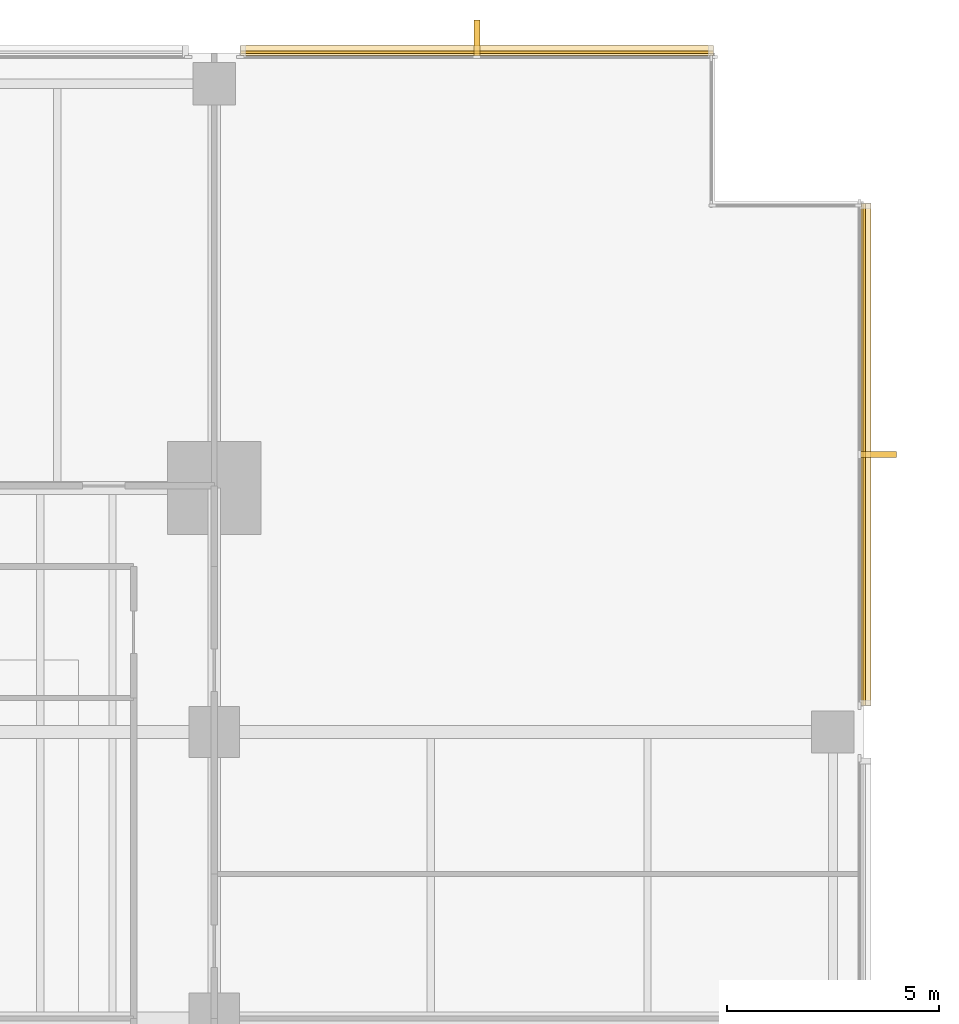
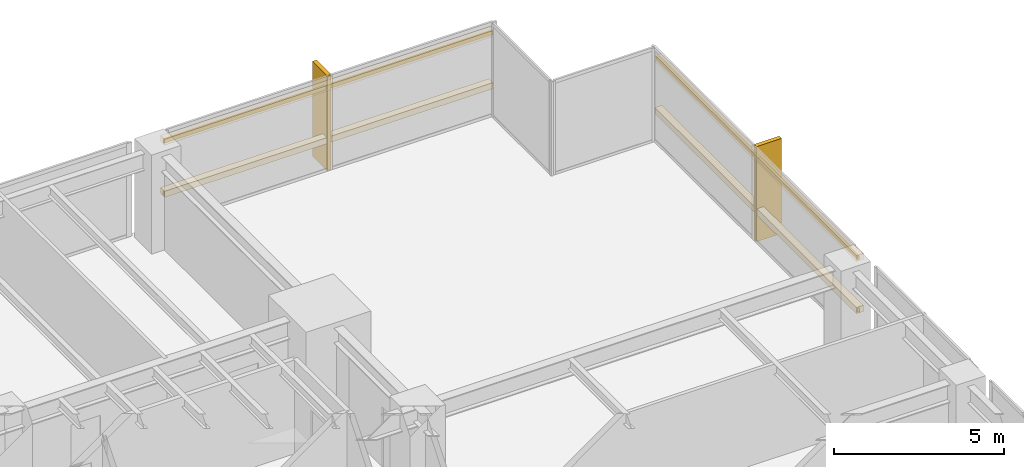
# One storey, part 15 of 15: 6 coverings, 4 shading devices.
"""IFC4 building model written with IfcOpenShell, lengths in metres."""

from ifc_helpers import new_model, si_unit, direction, frame, origin, origin_2d, place, context, subcontext, project, spatial, polyline, rectangle, outline, extrude, material, layer, layer_set, material_profile, profile_set, type_object, element, save


model = new_model("IFC4")

# Units and contexts
model_context = context("Model", 3, precision=1e-05, world=origin(), true_north=direction((0.0, 1.0)))
body_context = subcontext(model_context, "Body", "Model", "MODEL_VIEW")
ifc_project = project(units=[si_unit("LENGTHUNIT", "METRE"), si_unit("AREAUNIT", "SQUARE_METRE"), si_unit("VOLUMEUNIT", "CUBIC_METRE"), si_unit("PLANEANGLEUNIT", "RADIAN"), si_unit("MASSUNIT", "GRAM", prefix="KILO")], contexts=[model_context])

# Site, building, storey
site_placement = place(None, origin())
site = spatial("IfcSite", under=ifc_project, at=site_placement, CompositionType="ELEMENT")
building_placement = place(site_placement, origin())
building = spatial("IfcBuilding", under=site, at=building_placement, Name="Kinhvarn Gate Tower", CompositionType="ELEMENT")
storey_placement = place(building_placement, frame((0.0, 0.0, 61.10009765625)))
storey = spatial("IfcBuildingStorey", under=building, at=storey_placement, Name="L15", CompositionType="ELEMENT", Elevation=61.10009765625)

# Coverings
ifc_material = material(Name="Fired architectural terracotta", Category="masonry")
ifc_layer_1 = layer(ifc_material, 0.239990234375)
ifc_layer_set_1 = layer_set([ifc_layer_1], Name="Fired architectural terracotta")
covering_type_1 = type_object("IfcCoveringType", Name="COV-BAG-220", PredefinedType="CLADDING", material=ifc_layer_set_1)
for number, where, name in (
    (1, (0.0, 0.0, 0.93994140625), "Terracotta Horizontal Sunscreen Band TBG-220 (L15)"),
    (2, (0.0, 0.0, 2.809814453125), "Terracotta Horizontal Sunscreen Band TBG-220 (L15)"),
):
    element("IfcCovering", number, at=place(storey_placement, frame(where)), inside=storey, type_object=covering_type_1, Name=name, PredefinedType="CLADDING", context=body_context, shape_type="SweptSolid", body=[
        extrude(outline(polyline([(49.9599609375, 47.93994140625), (38.820068359375, 47.93994140625), (38.820068359375, 48.179931640625), (49.9599609375, 48.179931640625), (49.9599609375, 47.93994140625)])), origin(), (0.0, 0.0, 1.0), 0.219970703125),
    ])
for number, where, name in (
    (3, (0.0, 0.0, 0.93994140625), "Terracotta Horizontal Sunscreen Band TBG-220 (L15)"),
    (4, (0.0, 0.0, 2.809814453125), "Terracotta Horizontal Sunscreen Band TBG-220 (L15)"),
):
    element("IfcCovering", number, at=place(storey_placement, frame(where)), inside=storey, type_object=covering_type_1, Name=name, PredefinedType="CLADDING", context=body_context, shape_type="SweptSolid", body=[
        extrude(outline(polyline([(53.43994140625, 32.6201171875), (53.43994140625, 44.4599609375), (53.679931640625, 44.4599609375), (53.679931640625, 32.6201171875), (53.43994140625, 32.6201171875)])), origin(), (0.0, 0.0, 1.0), 0.219970703125),
    ])
ifc_layer_2 = layer(ifc_material, 0.139892578125)
ifc_layer_set_2 = layer_set([ifc_layer_2], Name="Fired architectural terracotta")
covering_type_2 = type_object("IfcCoveringType", Name="COV-FIN-850", PredefinedType="CLADDING", material=ifc_layer_set_2)
covering_1_placement = place(storey_placement, frame((0.0, 0.0, -0.02001953125)))
element("IfcCovering", 5, at=covering_1_placement, inside=storey, type_object=covering_type_2, Name="Vertical Terracotta Expressive Fin TFN-850 (L15)", PredefinedType="CLADDING", context=body_context, shape_type="SweptSolid", body=[
    extrude(outline(polyline([(44.4599609375, 47.929931640625), (44.320068359375, 47.929931640625), (44.320068359375, 48.780029296875), (44.4599609375, 48.780029296875), (44.4599609375, 47.929931640625)])), origin(), (0.0, 0.0, 1.0), 3.409912109375),
])
covering_2_placement = place(storey_placement, frame((0.0, 0.0, -0.02001953125)))
element("IfcCovering", 6, at=covering_2_placement, inside=storey, type_object=covering_type_2, Name="Vertical Terracotta Expressive Fin TFN-850 (L15)", PredefinedType="CLADDING", context=body_context, shape_type="SweptSolid", body=[
    extrude(outline(polyline([(53.429931640625, 38.469970703125), (53.429931640625, 38.610107421875), (54.280029296875, 38.610107421875), (54.280029296875, 38.469970703125), (53.429931640625, 38.469970703125)])), origin(), (0.0, 0.0, 1.0), 3.409912109375),
])

# Shading devices
ifc_material_profile = material_profile(ifc_material, rectangle(XDim=0.06005859375, YDim=0.139892578125, at=origin_2d()), Name="TC 60x140")
ifc_profile_set = profile_set([ifc_material_profile], Name="Fired architectural terracotta")
shading_device_type = type_object("IfcShadingDeviceType", Name="SHD-BAG-180", PredefinedType="USERDEFINED", material=ifc_profile_set)
for number, where, z_axis, x_axis, name in (
    (7, (49.9599609375, 48.014892578125, 1.0498046875), (-1.0, 0.0, 0.0), (0.0, -1.0, 0.0), "Fired Terracotta Baguette Screen Rod 60x140 mm (L15)"),
    (8, (49.9599609375, 48.014892578125, 2.919921875), (-1.0, 0.0, 0.0), (0.0, -1.0, 0.0), "Fired Terracotta Baguette Screen Rod 60x140 mm (L15)"),
):
    element("IfcShadingDevice", number, at=place(storey_placement, frame(where, z_axis=z_axis, x_axis=x_axis)), inside=storey, type_object=shading_device_type, Name=name, ObjectType="BAGUETTE", PredefinedType="USERDEFINED", context=body_context, shape_type="SweptSolid", body=[
        extrude(rectangle(XDim=0.06005859375, YDim=0.139892578125, at=origin_2d()), origin(), (0.0, 0.0, 1.0), 11.139892578125),
    ])
for number, where, z_axis, x_axis, name in (
    (9, (53.514892578125, 32.6201171875, 1.0498046875), (0.0, 1.0, 0.0), (-1.0, 0.0, 0.0), "Fired Terracotta Baguette Screen Rod 60x140 mm (L15)"),
    (10, (53.514892578125, 32.6201171875, 2.919921875), (0.0, 1.0, 0.0), (-1.0, 0.0, 0.0), "Fired Terracotta Baguette Screen Rod 60x140 mm (L15)"),
):
    element("IfcShadingDevice", number, at=place(storey_placement, frame(where, z_axis=z_axis, x_axis=x_axis)), inside=storey, type_object=shading_device_type, Name=name, ObjectType="BAGUETTE", PredefinedType="USERDEFINED", context=body_context, shape_type="SweptSolid", body=[
        extrude(rectangle(XDim=0.06005859375, YDim=0.139892578125, at=origin_2d()), origin(), (0.0, 0.0, 1.0), 11.83984375),
    ])

save(model, "model.ifc")
